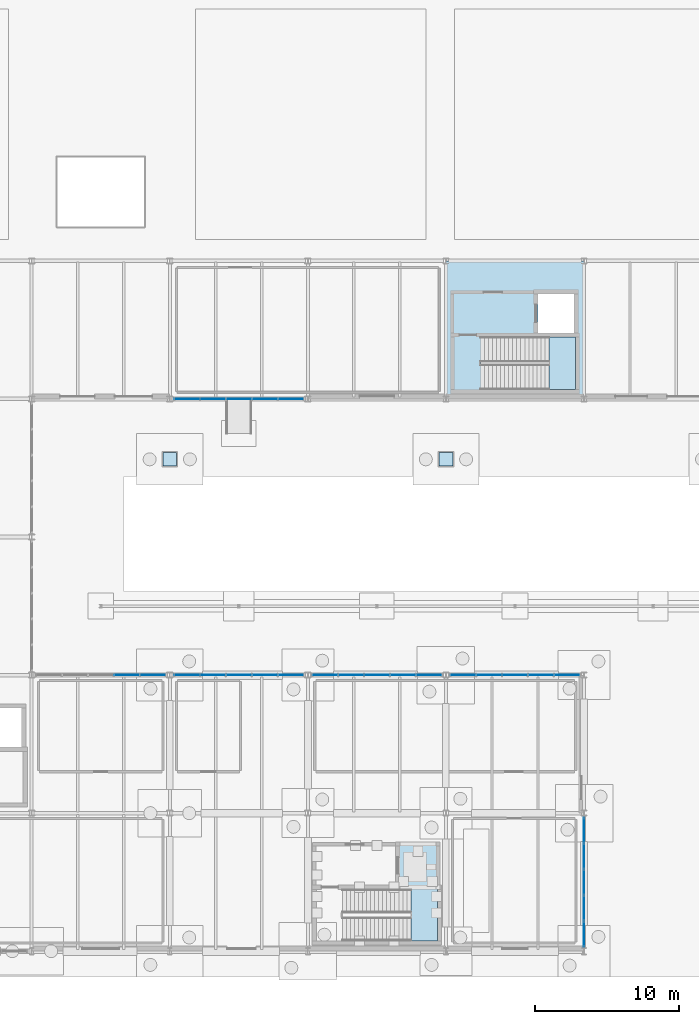
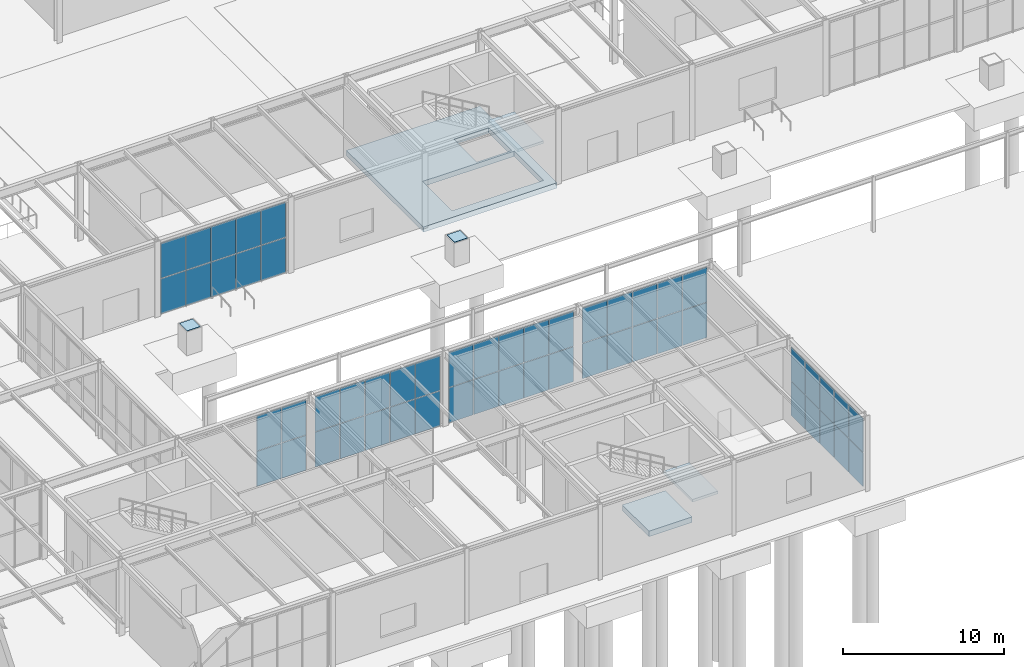
# One storey, part 107 of 142: 56 plates, 4 slabs, 8 elements without a shape of their own.
"""IFC4 building model written with IfcOpenShell, lengths in metres."""

from ifc_helpers import new_model, si_unit, direction, frame, origin, origin_2d, place, context, subcontext, project, spatial, polyline, rectangle, outline, extrude, material, layer, layer_set, type_object, element, aggregate, save


model = new_model("IFC4")

# Units and contexts
model_context = context("Model", 3, precision=1e-05, world=origin(), true_north=direction((0.0, 1.0)))
body_context = subcontext(model_context, "Body", "Model", "MODEL_VIEW")
ifc_project = project(units=[si_unit("LENGTHUNIT", "METRE"), si_unit("AREAUNIT", "SQUARE_METRE"), si_unit("VOLUMEUNIT", "CUBIC_METRE"), si_unit("PLANEANGLEUNIT", "RADIAN"), si_unit("MASSUNIT", "GRAM", prefix="KILO")], contexts=[model_context])

# Site, building, storey
site_placement = place(None, origin())
site = spatial("IfcSite", under=ifc_project, at=site_placement, CompositionType="ELEMENT")
building_placement = place(site_placement, origin())
building = spatial("IfcBuilding", under=site, at=building_placement, Name="Coralgate Yard Interchange", CompositionType="ELEMENT")
storey_placement = place(building_placement, origin())
storey = spatial("IfcBuildingStorey", under=building, at=storey_placement, Name="L00", CompositionType="ELEMENT", Elevation=0.0)

# Plates
ifc_material_1 = material(Name="Yellow-ochre weather-coated structural steel S355J2", Category="steel")
ifc_layer_1 = layer(ifc_material_1, 0.0400390625)
ifc_layer_set_1 = layer_set([ifc_layer_1], Name="Yellow-ochre weather-coated structural steel S355J2")
plate_type_1 = type_object("IfcPlateType", Name="PLT-BP-40", PredefinedType="USERDEFINED", material=ifc_layer_set_1)
for number, where, z_axis, x_axis, name in (
    (1, (67.199951171875, 34.199951171875, 1.800048828125), (0.0, 0.0, 1.0), (1.0, 0.0, 0.0), "Arch AR-2 S steel base plate BP-40"),
    (2, (86.39990234375, 34.199951171875, 1.800048828125), (0.0, 0.0, 1.0), (1.0, 0.0, 0.0), "Arch AR-3 S steel base plate BP-40"),
):
    element("IfcPlate", number, at=place(storey_placement, frame(where, z_axis=z_axis, x_axis=x_axis)), inside=storey, type_object=plate_type_1, Name=name, ObjectType="BASE PLATE", PredefinedType="USERDEFINED", context=body_context, shape_type="SweptSolid", body=[
        extrude(rectangle(XDim=0.949951171875, YDim=0.949951171875, at=origin_2d()), origin(), (0.0, 0.0, 1.0), 0.0400390625),
    ])

# Curtain wall, plates
ifc_material_2 = material(Name="Anodised coastal aluminium and solar-control low-E glass", Category="aluminium")
curtain_wall_type_1 = type_object("IfcCurtainWallType", Name="CW-CW-L00-B", PredefinedType="NOTDEFINED", material=ifc_material_2)
curtain_wall_1_placement = place(storey_placement, origin())
curtain_wall_1 = element("IfcCurtainWall", 3, at=curtain_wall_1_placement, inside=storey, type_object=curtain_wall_type_1, Name="L00 unitised curtain wall CW-L00-N-06-01", PredefinedType="NOTDEFINED")
ifc_material_3 = material(Name="Solar-control double-glazed low-E glass unit", Category="glass")
ifc_layer_2 = layer(ifc_material_3, 0.0419921875)
ifc_layer_set_2 = layer_set([ifc_layer_2], Name="Solar-control double-glazed low-E glass unit")
plate_type_2 = type_object("IfcPlateType", Name="PLT-CP-42", PredefinedType="CURTAIN_PANEL", material=ifc_layer_set_2)
plate_1_placement = place(storey_placement, frame((64.199951171875, 19.199951171875, 0.025146484375), z_axis=(0.0, 0.0, 1.0), x_axis=(1.0, 0.0, 0.0)))
plate_1 = element("IfcPlate", 4, at=plate_1_placement, type_object=plate_type_2, Name="CW-L00-N-06-01 solar-control glazing panel 4-1", PredefinedType="CURTAIN_PANEL", context=body_context, shape_type="SweptSolid", body=[
    extrude(rectangle(XDim=1.75, YDim=0.0419921875, at=origin_2d()), origin(), (0.0, 0.0, 1.0), 2.64990234375),
])
plate_2_placement = place(storey_placement, frame((64.199951171875, 19.199951171875, 2.72509765625), z_axis=(0.0, 0.0, 1.0), x_axis=(1.0, 0.0, 0.0)))
plate_2 = element("IfcPlate", 5, at=plate_2_placement, type_object=plate_type_2, Name="CW-L00-N-06-01 solar-control glazing panel 4-2", PredefinedType="CURTAIN_PANEL", context=body_context, shape_type="SweptSolid", body=[
    extrude(rectangle(XDim=1.75, YDim=0.0419921875, at=origin_2d()), origin(), (0.0, 0.0, 1.0), 2.64990234375),
])
plate_3_placement = place(storey_placement, frame((66.0, 19.199951171875, 0.025146484375), z_axis=(0.0, 0.0, 1.0), x_axis=(1.0, 0.0, 0.0)))
plate_3 = element("IfcPlate", 6, at=plate_3_placement, type_object=plate_type_2, Name="CW-L00-N-06-01 solar-control glazing panel 5-1", PredefinedType="CURTAIN_PANEL", context=body_context, shape_type="SweptSolid", body=[
    extrude(rectangle(XDim=1.75, YDim=0.0419921875, at=origin_2d()), origin(), (0.0, 0.0, 1.0), 2.64990234375),
])
plate_4_placement = place(storey_placement, frame((66.0, 19.199951171875, 2.72509765625), z_axis=(0.0, 0.0, 1.0), x_axis=(1.0, 0.0, 0.0)))
plate_4 = element("IfcPlate", 7, at=plate_4_placement, type_object=plate_type_2, Name="CW-L00-N-06-01 solar-control glazing panel 5-2", PredefinedType="CURTAIN_PANEL", context=body_context, shape_type="SweptSolid", body=[
    extrude(rectangle(XDim=1.75, YDim=0.0419921875, at=origin_2d()), origin(), (0.0, 0.0, 1.0), 2.64990234375),
])
aggregate(curtain_wall_1, [plate_1, plate_2, plate_3, plate_4])

curtain_wall_2_placement = place(storey_placement, origin())
curtain_wall_2 = element("IfcCurtainWall", 8, at=curtain_wall_2_placement, inside=storey, type_object=curtain_wall_type_1, Name="L00 unitised curtain wall CW-L00-N-07-01", PredefinedType="NOTDEFINED")
plate_5_placement = place(storey_placement, frame((68.39990234375, 19.199951171875, 0.025146484375), z_axis=(0.0, 0.0, 1.0), x_axis=(1.0, 0.0, 0.0)))
plate_5 = element("IfcPlate", 9, at=plate_5_placement, type_object=plate_type_2, Name="CW-L00-N-07-01 solar-control glazing panel 1-1", PredefinedType="CURTAIN_PANEL", context=body_context, shape_type="SweptSolid", body=[
    extrude(rectangle(XDim=1.75, YDim=0.0419921875, at=origin_2d()), origin(), (0.0, 0.0, 1.0), 2.64990234375),
])
plate_6_placement = place(storey_placement, frame((68.39990234375, 19.199951171875, 2.72509765625), z_axis=(0.0, 0.0, 1.0), x_axis=(1.0, 0.0, 0.0)))
plate_6 = element("IfcPlate", 10, at=plate_6_placement, type_object=plate_type_2, Name="CW-L00-N-07-01 solar-control glazing panel 1-2", PredefinedType="CURTAIN_PANEL", context=body_context, shape_type="SweptSolid", body=[
    extrude(rectangle(XDim=1.75, YDim=0.0419921875, at=origin_2d()), origin(), (0.0, 0.0, 1.0), 2.64990234375),
])
plate_7_placement = place(storey_placement, frame((70.199951171875, 19.199951171875, 0.025146484375), z_axis=(0.0, 0.0, 1.0), x_axis=(1.0, 0.0, 0.0)))
plate_7 = element("IfcPlate", 11, at=plate_7_placement, type_object=plate_type_2, Name="CW-L00-N-07-01 solar-control glazing panel 2-1", PredefinedType="CURTAIN_PANEL", context=body_context, shape_type="SweptSolid", body=[
    extrude(rectangle(XDim=1.75, YDim=0.0419921875, at=origin_2d()), origin(), (0.0, 0.0, 1.0), 2.64990234375),
])
plate_8_placement = place(storey_placement, frame((70.199951171875, 19.199951171875, 2.72509765625), z_axis=(0.0, 0.0, 1.0), x_axis=(1.0, 0.0, 0.0)))
plate_8 = element("IfcPlate", 12, at=plate_8_placement, type_object=plate_type_2, Name="CW-L00-N-07-01 solar-control glazing panel 2-2", PredefinedType="CURTAIN_PANEL", context=body_context, shape_type="SweptSolid", body=[
    extrude(rectangle(XDim=1.75, YDim=0.0419921875, at=origin_2d()), origin(), (0.0, 0.0, 1.0), 2.64990234375),
])
plate_9_placement = place(storey_placement, frame((72.0, 19.199951171875, 0.025146484375), z_axis=(0.0, 0.0, 1.0), x_axis=(1.0, 0.0, 0.0)))
plate_9 = element("IfcPlate", 13, at=plate_9_placement, type_object=plate_type_2, Name="CW-L00-N-07-01 solar-control glazing panel 3-1", PredefinedType="CURTAIN_PANEL", context=body_context, shape_type="SweptSolid", body=[
    extrude(rectangle(XDim=1.75, YDim=0.0419921875, at=origin_2d()), origin(), (0.0, 0.0, 1.0), 2.64990234375),
])
plate_10_placement = place(storey_placement, frame((72.0, 19.199951171875, 2.72509765625), z_axis=(0.0, 0.0, 1.0), x_axis=(1.0, 0.0, 0.0)))
plate_10 = element("IfcPlate", 14, at=plate_10_placement, type_object=plate_type_2, Name="CW-L00-N-07-01 solar-control glazing panel 3-2", PredefinedType="CURTAIN_PANEL", context=body_context, shape_type="SweptSolid", body=[
    extrude(rectangle(XDim=1.75, YDim=0.0419921875, at=origin_2d()), origin(), (0.0, 0.0, 1.0), 2.64990234375),
])
plate_11_placement = place(storey_placement, frame((73.800048828125, 19.199951171875, 0.025146484375), z_axis=(0.0, 0.0, 1.0), x_axis=(1.0, 0.0, 0.0)))
plate_11 = element("IfcPlate", 15, at=plate_11_placement, type_object=plate_type_2, Name="CW-L00-N-07-01 solar-control glazing panel 4-1", PredefinedType="CURTAIN_PANEL", context=body_context, shape_type="SweptSolid", body=[
    extrude(rectangle(XDim=1.75, YDim=0.0419921875, at=origin_2d()), origin(), (0.0, 0.0, 1.0), 2.64990234375),
])
plate_12_placement = place(storey_placement, frame((73.800048828125, 19.199951171875, 2.72509765625), z_axis=(0.0, 0.0, 1.0), x_axis=(1.0, 0.0, 0.0)))
plate_12 = element("IfcPlate", 16, at=plate_12_placement, type_object=plate_type_2, Name="CW-L00-N-07-01 solar-control glazing panel 4-2", PredefinedType="CURTAIN_PANEL", context=body_context, shape_type="SweptSolid", body=[
    extrude(rectangle(XDim=1.75, YDim=0.0419921875, at=origin_2d()), origin(), (0.0, 0.0, 1.0), 2.64990234375),
])
plate_13_placement = place(storey_placement, frame((75.60009765625, 19.199951171875, 0.025146484375), z_axis=(0.0, 0.0, 1.0), x_axis=(1.0, 0.0, 0.0)))
plate_13 = element("IfcPlate", 17, at=plate_13_placement, type_object=plate_type_2, Name="CW-L00-N-07-01 solar-control glazing panel 5-1", PredefinedType="CURTAIN_PANEL", context=body_context, shape_type="SweptSolid", body=[
    extrude(rectangle(XDim=1.75, YDim=0.0419921875, at=origin_2d()), origin(), (0.0, 0.0, 1.0), 2.64990234375),
])
plate_14_placement = place(storey_placement, frame((75.60009765625, 19.199951171875, 2.72509765625), z_axis=(0.0, 0.0, 1.0), x_axis=(1.0, 0.0, 0.0)))
plate_14 = element("IfcPlate", 18, at=plate_14_placement, type_object=plate_type_2, Name="CW-L00-N-07-01 solar-control glazing panel 5-2", PredefinedType="CURTAIN_PANEL", context=body_context, shape_type="SweptSolid", body=[
    extrude(rectangle(XDim=1.75, YDim=0.0419921875, at=origin_2d()), origin(), (0.0, 0.0, 1.0), 2.64990234375),
])
aggregate(curtain_wall_2, [plate_5, plate_6, plate_7, plate_8, plate_9, plate_10, plate_11, plate_12, plate_13, plate_14])

curtain_wall_type_2 = type_object("IfcCurtainWallType", Name="CW-CW-L00-A", PredefinedType="NOTDEFINED", material=ifc_material_2)
curtain_wall_3_placement = place(storey_placement, origin())
curtain_wall_3 = element("IfcCurtainWall", 19, at=curtain_wall_3_placement, inside=storey, type_object=curtain_wall_type_2, Name="L00 unitised curtain wall CW-L00-S-07-04", PredefinedType="NOTDEFINED")
plate_15_placement = place(storey_placement, frame((75.60009765625, 38.39990234375, 0.025146484375), z_axis=(0.0, 0.0, 1.0), x_axis=(-1.0, 0.0, 0.0)))
plate_15 = element("IfcPlate", 20, at=plate_15_placement, type_object=plate_type_2, Name="CW-L00-S-07-04 solar-control glazing panel 1-1", PredefinedType="CURTAIN_PANEL", context=body_context, shape_type="SweptSolid", body=[
    extrude(rectangle(XDim=1.75, YDim=0.0419921875, at=origin_2d()), origin(), (0.0, 0.0, 1.0), 2.64990234375),
])
plate_16_placement = place(storey_placement, frame((75.60009765625, 38.39990234375, 2.72509765625), z_axis=(0.0, 0.0, 1.0), x_axis=(-1.0, 0.0, 0.0)))
plate_16 = element("IfcPlate", 21, at=plate_16_placement, type_object=plate_type_2, Name="CW-L00-S-07-04 solar-control glazing panel 1-2", PredefinedType="CURTAIN_PANEL", context=body_context, shape_type="SweptSolid", body=[
    extrude(rectangle(XDim=1.75, YDim=0.0419921875, at=origin_2d()), origin(), (0.0, 0.0, 1.0), 2.64990234375),
])
plate_17_placement = place(storey_placement, frame((73.800048828125, 38.39990234375, 0.025146484375), z_axis=(0.0, 0.0, 1.0), x_axis=(-1.0, 0.0, 0.0)))
plate_17 = element("IfcPlate", 22, at=plate_17_placement, type_object=plate_type_2, Name="CW-L00-S-07-04 solar-control glazing panel 2-1", PredefinedType="CURTAIN_PANEL", context=body_context, shape_type="SweptSolid", body=[
    extrude(rectangle(XDim=1.75, YDim=0.0419921875, at=origin_2d()), origin(), (0.0, 0.0, 1.0), 2.64990234375),
])
plate_18_placement = place(storey_placement, frame((73.800048828125, 38.39990234375, 2.72509765625), z_axis=(0.0, 0.0, 1.0), x_axis=(-1.0, 0.0, 0.0)))
plate_18 = element("IfcPlate", 23, at=plate_18_placement, type_object=plate_type_2, Name="CW-L00-S-07-04 solar-control glazing panel 2-2", PredefinedType="CURTAIN_PANEL", context=body_context, shape_type="SweptSolid", body=[
    extrude(rectangle(XDim=1.75, YDim=0.0419921875, at=origin_2d()), origin(), (0.0, 0.0, 1.0), 2.64990234375),
])
plate_19_placement = place(storey_placement, frame((72.0, 38.39990234375, 0.025146484375), z_axis=(0.0, 0.0, 1.0), x_axis=(-1.0, 0.0, 0.0)))
plate_19 = element("IfcPlate", 24, at=plate_19_placement, type_object=plate_type_2, Name="CW-L00-S-07-04 solar-control glazing panel 3-1", PredefinedType="CURTAIN_PANEL", context=body_context, shape_type="SweptSolid", body=[
    extrude(rectangle(XDim=1.75, YDim=0.0419921875, at=origin_2d()), origin(), (0.0, 0.0, 1.0), 2.64990234375),
])
plate_20_placement = place(storey_placement, frame((72.0, 38.39990234375, 2.72509765625), z_axis=(0.0, 0.0, 1.0), x_axis=(-1.0, 0.0, 0.0)))
plate_20 = element("IfcPlate", 25, at=plate_20_placement, type_object=plate_type_2, Name="CW-L00-S-07-04 solar-control glazing panel 3-2", PredefinedType="CURTAIN_PANEL", context=body_context, shape_type="SweptSolid", body=[
    extrude(rectangle(XDim=1.75, YDim=0.0419921875, at=origin_2d()), origin(), (0.0, 0.0, 1.0), 2.64990234375),
])
plate_21_placement = place(storey_placement, frame((70.199951171875, 38.39990234375, 0.025146484375), z_axis=(0.0, 0.0, 1.0), x_axis=(-1.0, 0.0, 0.0)))
plate_21 = element("IfcPlate", 26, at=plate_21_placement, type_object=plate_type_2, Name="CW-L00-S-07-04 solar-control glazing panel 4-1", PredefinedType="CURTAIN_PANEL", context=body_context, shape_type="SweptSolid", body=[
    extrude(rectangle(XDim=1.75, YDim=0.0419921875, at=origin_2d()), origin(), (0.0, 0.0, 1.0), 2.64990234375),
])
plate_22_placement = place(storey_placement, frame((70.199951171875, 38.39990234375, 2.72509765625), z_axis=(0.0, 0.0, 1.0), x_axis=(-1.0, 0.0, 0.0)))
plate_22 = element("IfcPlate", 27, at=plate_22_placement, type_object=plate_type_2, Name="CW-L00-S-07-04 solar-control glazing panel 4-2", PredefinedType="CURTAIN_PANEL", context=body_context, shape_type="SweptSolid", body=[
    extrude(rectangle(XDim=1.75, YDim=0.0419921875, at=origin_2d()), origin(), (0.0, 0.0, 1.0), 2.64990234375),
])
plate_23_placement = place(storey_placement, frame((68.39990234375, 38.39990234375, 0.025146484375), z_axis=(0.0, 0.0, 1.0), x_axis=(-1.0, 0.0, 0.0)))
plate_23 = element("IfcPlate", 28, at=plate_23_placement, type_object=plate_type_2, Name="CW-L00-S-07-04 solar-control glazing panel 5-1", PredefinedType="CURTAIN_PANEL", context=body_context, shape_type="SweptSolid", body=[
    extrude(rectangle(XDim=1.75, YDim=0.0419921875, at=origin_2d()), origin(), (0.0, 0.0, 1.0), 2.64990234375),
])
plate_24_placement = place(storey_placement, frame((68.39990234375, 38.39990234375, 2.72509765625), z_axis=(0.0, 0.0, 1.0), x_axis=(-1.0, 0.0, 0.0)))
plate_24 = element("IfcPlate", 29, at=plate_24_placement, type_object=plate_type_2, Name="CW-L00-S-07-04 solar-control glazing panel 5-2", PredefinedType="CURTAIN_PANEL", context=body_context, shape_type="SweptSolid", body=[
    extrude(rectangle(XDim=1.75, YDim=0.0419921875, at=origin_2d()), origin(), (0.0, 0.0, 1.0), 2.64990234375),
])
aggregate(curtain_wall_3, [plate_15, plate_16, plate_17, plate_18, plate_19, plate_20, plate_21, plate_22, plate_23, plate_24])

curtain_wall_4_placement = place(storey_placement, origin())
curtain_wall_4 = element("IfcCurtainWall", 30, at=curtain_wall_4_placement, inside=storey, type_object=curtain_wall_type_1, Name="L00 unitised curtain wall CW-L00-N-08-01", PredefinedType="NOTDEFINED")
plate_25_placement = place(storey_placement, frame((78.0, 19.199951171875, 0.025146484375), z_axis=(0.0, 0.0, 1.0), x_axis=(1.0, 0.0, 0.0)))
plate_25 = element("IfcPlate", 31, at=plate_25_placement, type_object=plate_type_2, Name="CW-L00-N-08-01 solar-control glazing panel 1-1", PredefinedType="CURTAIN_PANEL", context=body_context, shape_type="SweptSolid", body=[
    extrude(rectangle(XDim=1.75, YDim=0.0419921875, at=origin_2d()), origin(), (0.0, 0.0, 1.0), 2.64990234375),
])
plate_26_placement = place(storey_placement, frame((78.0, 19.199951171875, 2.72509765625), z_axis=(0.0, 0.0, 1.0), x_axis=(1.0, 0.0, 0.0)))
plate_26 = element("IfcPlate", 32, at=plate_26_placement, type_object=plate_type_2, Name="CW-L00-N-08-01 solar-control glazing panel 1-2", PredefinedType="CURTAIN_PANEL", context=body_context, shape_type="SweptSolid", body=[
    extrude(rectangle(XDim=1.75, YDim=0.0419921875, at=origin_2d()), origin(), (0.0, 0.0, 1.0), 2.64990234375),
])
plate_27_placement = place(storey_placement, frame((79.800048828125, 19.199951171875, 0.025146484375), z_axis=(0.0, 0.0, 1.0), x_axis=(1.0, 0.0, 0.0)))
plate_27 = element("IfcPlate", 33, at=plate_27_placement, type_object=plate_type_2, Name="CW-L00-N-08-01 solar-control glazing panel 2-1", PredefinedType="CURTAIN_PANEL", context=body_context, shape_type="SweptSolid", body=[
    extrude(rectangle(XDim=1.75, YDim=0.0419921875, at=origin_2d()), origin(), (0.0, 0.0, 1.0), 2.64990234375),
])
plate_28_placement = place(storey_placement, frame((79.800048828125, 19.199951171875, 2.72509765625), z_axis=(0.0, 0.0, 1.0), x_axis=(1.0, 0.0, 0.0)))
plate_28 = element("IfcPlate", 34, at=plate_28_placement, type_object=plate_type_2, Name="CW-L00-N-08-01 solar-control glazing panel 2-2", PredefinedType="CURTAIN_PANEL", context=body_context, shape_type="SweptSolid", body=[
    extrude(rectangle(XDim=1.75, YDim=0.0419921875, at=origin_2d()), origin(), (0.0, 0.0, 1.0), 2.64990234375),
])
plate_29_placement = place(storey_placement, frame((81.60009765625, 19.199951171875, 0.025146484375), z_axis=(0.0, 0.0, 1.0), x_axis=(1.0, 0.0, 0.0)))
plate_29 = element("IfcPlate", 35, at=plate_29_placement, type_object=plate_type_2, Name="CW-L00-N-08-01 solar-control glazing panel 3-1", PredefinedType="CURTAIN_PANEL", context=body_context, shape_type="SweptSolid", body=[
    extrude(rectangle(XDim=1.75, YDim=0.0419921875, at=origin_2d()), origin(), (0.0, 0.0, 1.0), 2.64990234375),
])
plate_30_placement = place(storey_placement, frame((81.60009765625, 19.199951171875, 2.72509765625), z_axis=(0.0, 0.0, 1.0), x_axis=(1.0, 0.0, 0.0)))
plate_30 = element("IfcPlate", 36, at=plate_30_placement, type_object=plate_type_2, Name="CW-L00-N-08-01 solar-control glazing panel 3-2", PredefinedType="CURTAIN_PANEL", context=body_context, shape_type="SweptSolid", body=[
    extrude(rectangle(XDim=1.75, YDim=0.0419921875, at=origin_2d()), origin(), (0.0, 0.0, 1.0), 2.64990234375),
])
plate_31_placement = place(storey_placement, frame((83.39990234375, 19.199951171875, 0.025146484375), z_axis=(0.0, 0.0, 1.0), x_axis=(1.0, 0.0, 0.0)))
plate_31 = element("IfcPlate", 37, at=plate_31_placement, type_object=plate_type_2, Name="CW-L00-N-08-01 solar-control glazing panel 4-1", PredefinedType="CURTAIN_PANEL", context=body_context, shape_type="SweptSolid", body=[
    extrude(rectangle(XDim=1.75, YDim=0.0419921875, at=origin_2d()), origin(), (0.0, 0.0, 1.0), 2.64990234375),
])
plate_32_placement = place(storey_placement, frame((83.39990234375, 19.199951171875, 2.72509765625), z_axis=(0.0, 0.0, 1.0), x_axis=(1.0, 0.0, 0.0)))
plate_32 = element("IfcPlate", 38, at=plate_32_placement, type_object=plate_type_2, Name="CW-L00-N-08-01 solar-control glazing panel 4-2", PredefinedType="CURTAIN_PANEL", context=body_context, shape_type="SweptSolid", body=[
    extrude(rectangle(XDim=1.75, YDim=0.0419921875, at=origin_2d()), origin(), (0.0, 0.0, 1.0), 2.64990234375),
])
plate_33_placement = place(storey_placement, frame((85.199951171875, 19.199951171875, 0.025146484375), z_axis=(0.0, 0.0, 1.0), x_axis=(1.0, 0.0, 0.0)))
plate_33 = element("IfcPlate", 39, at=plate_33_placement, type_object=plate_type_2, Name="CW-L00-N-08-01 solar-control glazing panel 5-1", PredefinedType="CURTAIN_PANEL", context=body_context, shape_type="SweptSolid", body=[
    extrude(rectangle(XDim=1.75, YDim=0.0419921875, at=origin_2d()), origin(), (0.0, 0.0, 1.0), 2.64990234375),
])
plate_34_placement = place(storey_placement, frame((85.199951171875, 19.199951171875, 2.72509765625), z_axis=(0.0, 0.0, 1.0), x_axis=(1.0, 0.0, 0.0)))
plate_34 = element("IfcPlate", 40, at=plate_34_placement, type_object=plate_type_2, Name="CW-L00-N-08-01 solar-control glazing panel 5-2", PredefinedType="CURTAIN_PANEL", context=body_context, shape_type="SweptSolid", body=[
    extrude(rectangle(XDim=1.75, YDim=0.0419921875, at=origin_2d()), origin(), (0.0, 0.0, 1.0), 2.64990234375),
])
aggregate(curtain_wall_4, [plate_25, plate_26, plate_27, plate_28, plate_29, plate_30, plate_31, plate_32, plate_33, plate_34])

curtain_wall_5_placement = place(storey_placement, origin())
curtain_wall_5 = element("IfcCurtainWall", 41, at=curtain_wall_5_placement, inside=storey, type_object=curtain_wall_type_1, Name="L00 unitised curtain wall CW-L00-E-09-00", PredefinedType="NOTDEFINED")
plate_35_placement = place(storey_placement, frame((96.0, 8.39990234375, 0.02490234375), z_axis=(0.0, 0.0, 1.0), x_axis=(0.0, -1.0, 0.0)))
plate_35 = element("IfcPlate", 42, at=plate_35_placement, type_object=plate_type_2, Name="CW-L00-E-09-00 solar-control glazing panel 1-1", PredefinedType="CURTAIN_PANEL", context=body_context, shape_type="SweptSolid", body=[
    extrude(rectangle(XDim=1.75, YDim=0.0419921875, at=origin_2d()), origin(), (0.0, 0.0, 1.0), 2.558349609375),
])
plate_36_placement = place(storey_placement, frame((96.0, 8.39990234375, 2.63330078125), z_axis=(0.0, 0.0, 1.0), x_axis=(0.0, -1.0, 0.0)))
plate_36 = element("IfcPlate", 43, at=plate_36_placement, type_object=plate_type_2, Name="CW-L00-E-09-00 solar-control glazing panel 1-2", PredefinedType="CURTAIN_PANEL", context=body_context, shape_type="SweptSolid", body=[
    extrude(rectangle(XDim=1.75, YDim=0.0419921875, at=origin_2d()), origin(), (0.0, 0.0, 1.0), 2.558349609375),
])
plate_37_placement = place(storey_placement, frame((96.0, 6.60009765625, 0.02490234375), z_axis=(0.0, 0.0, 1.0), x_axis=(0.0, -1.0, 0.0)))
plate_37 = element("IfcPlate", 44, at=plate_37_placement, type_object=plate_type_2, Name="CW-L00-E-09-00 solar-control glazing panel 2-1", PredefinedType="CURTAIN_PANEL", context=body_context, shape_type="SweptSolid", body=[
    extrude(rectangle(XDim=1.75, YDim=0.0419921875, at=origin_2d()), origin(), (0.0, 0.0, 1.0), 2.558349609375),
])
plate_38_placement = place(storey_placement, frame((96.0, 6.60009765625, 2.63330078125), z_axis=(0.0, 0.0, 1.0), x_axis=(0.0, -1.0, 0.0)))
plate_38 = element("IfcPlate", 45, at=plate_38_placement, type_object=plate_type_2, Name="CW-L00-E-09-00 solar-control glazing panel 2-2", PredefinedType="CURTAIN_PANEL", context=body_context, shape_type="SweptSolid", body=[
    extrude(rectangle(XDim=1.75, YDim=0.0419921875, at=origin_2d()), origin(), (0.0, 0.0, 1.0), 2.558349609375),
])
plate_39_placement = place(storey_placement, frame((96.0, 4.800048828125, 0.02490234375), z_axis=(0.0, 0.0, 1.0), x_axis=(0.0, -1.0, 0.0)))
plate_39 = element("IfcPlate", 46, at=plate_39_placement, type_object=plate_type_2, Name="CW-L00-E-09-00 solar-control glazing panel 3-1", PredefinedType="CURTAIN_PANEL", context=body_context, shape_type="SweptSolid", body=[
    extrude(rectangle(XDim=1.75, YDim=0.0419921875, at=origin_2d()), origin(), (0.0, 0.0, 1.0), 2.558349609375),
])
plate_40_placement = place(storey_placement, frame((96.0, 4.800048828125, 2.63330078125), z_axis=(0.0, 0.0, 1.0), x_axis=(0.0, -1.0, 0.0)))
plate_40 = element("IfcPlate", 47, at=plate_40_placement, type_object=plate_type_2, Name="CW-L00-E-09-00 solar-control glazing panel 3-2", PredefinedType="CURTAIN_PANEL", context=body_context, shape_type="SweptSolid", body=[
    extrude(rectangle(XDim=1.75, YDim=0.0419921875, at=origin_2d()), origin(), (0.0, 0.0, 1.0), 2.558349609375),
])
plate_41_placement = place(storey_placement, frame((96.0, 3.0, 0.02490234375), z_axis=(0.0, 0.0, 1.0), x_axis=(0.0, -1.0, 0.0)))
plate_41 = element("IfcPlate", 48, at=plate_41_placement, type_object=plate_type_2, Name="CW-L00-E-09-00 solar-control glazing panel 4-1", PredefinedType="CURTAIN_PANEL", context=body_context, shape_type="SweptSolid", body=[
    extrude(rectangle(XDim=1.75, YDim=0.0419921875, at=origin_2d()), origin(), (0.0, 0.0, 1.0), 2.558349609375),
])
plate_42_placement = place(storey_placement, frame((96.0, 3.0, 2.63330078125), z_axis=(0.0, 0.0, 1.0), x_axis=(0.0, -1.0, 0.0)))
plate_42 = element("IfcPlate", 49, at=plate_42_placement, type_object=plate_type_2, Name="CW-L00-E-09-00 solar-control glazing panel 4-2", PredefinedType="CURTAIN_PANEL", context=body_context, shape_type="SweptSolid", body=[
    extrude(rectangle(XDim=1.75, YDim=0.0419921875, at=origin_2d()), origin(), (0.0, 0.0, 1.0), 2.558349609375),
])
plate_43_placement = place(storey_placement, frame((96.0, 1.199951171875, 0.02490234375), z_axis=(0.0, 0.0, 1.0), x_axis=(0.0, -1.0, 0.0)))
plate_43 = element("IfcPlate", 50, at=plate_43_placement, type_object=plate_type_2, Name="CW-L00-E-09-00 solar-control glazing panel 5-1", PredefinedType="CURTAIN_PANEL", context=body_context, shape_type="SweptSolid", body=[
    extrude(rectangle(XDim=1.75, YDim=0.0419921875, at=origin_2d()), origin(), (0.0, 0.0, 1.0), 2.558349609375),
])
plate_44_placement = place(storey_placement, frame((96.0, 1.199951171875, 2.63330078125), z_axis=(0.0, 0.0, 1.0), x_axis=(0.0, -1.0, 0.0)))
plate_44 = element("IfcPlate", 51, at=plate_44_placement, type_object=plate_type_2, Name="CW-L00-E-09-00 solar-control glazing panel 5-2", PredefinedType="CURTAIN_PANEL", context=body_context, shape_type="SweptSolid", body=[
    extrude(rectangle(XDim=1.75, YDim=0.0419921875, at=origin_2d()), origin(), (0.0, 0.0, 1.0), 2.558349609375),
])
aggregate(curtain_wall_5, [plate_35, plate_36, plate_37, plate_38, plate_39, plate_40, plate_41, plate_42, plate_43, plate_44])

curtain_wall_6_placement = place(storey_placement, origin())
curtain_wall_6 = element("IfcCurtainWall", 52, at=curtain_wall_6_placement, inside=storey, type_object=curtain_wall_type_2, Name="L00 unitised curtain wall CW-L00-N-09-01", PredefinedType="NOTDEFINED")
plate_45_placement = place(storey_placement, frame((87.60009765625, 19.199951171875, 0.025146484375), z_axis=(0.0, 0.0, 1.0), x_axis=(1.0, 0.0, 0.0)))
plate_45 = element("IfcPlate", 53, at=plate_45_placement, type_object=plate_type_2, Name="CW-L00-N-09-01 solar-control glazing panel 1-1", PredefinedType="CURTAIN_PANEL", context=body_context, shape_type="SweptSolid", body=[
    extrude(rectangle(XDim=1.75, YDim=0.0419921875, at=origin_2d()), origin(), (0.0, 0.0, 1.0), 2.64990234375),
])
plate_46_placement = place(storey_placement, frame((87.60009765625, 19.199951171875, 2.72509765625), z_axis=(0.0, 0.0, 1.0), x_axis=(1.0, 0.0, 0.0)))
plate_46 = element("IfcPlate", 54, at=plate_46_placement, type_object=plate_type_2, Name="CW-L00-N-09-01 solar-control glazing panel 1-2", PredefinedType="CURTAIN_PANEL", context=body_context, shape_type="SweptSolid", body=[
    extrude(rectangle(XDim=1.75, YDim=0.0419921875, at=origin_2d()), origin(), (0.0, 0.0, 1.0), 2.64990234375),
])
plate_47_placement = place(storey_placement, frame((89.39990234375, 19.199951171875, 0.025146484375), z_axis=(0.0, 0.0, 1.0), x_axis=(1.0, 0.0, 0.0)))
plate_47 = element("IfcPlate", 55, at=plate_47_placement, type_object=plate_type_2, Name="CW-L00-N-09-01 solar-control glazing panel 2-1", PredefinedType="CURTAIN_PANEL", context=body_context, shape_type="SweptSolid", body=[
    extrude(rectangle(XDim=1.75, YDim=0.0419921875, at=origin_2d()), origin(), (0.0, 0.0, 1.0), 2.64990234375),
])
plate_48_placement = place(storey_placement, frame((89.39990234375, 19.199951171875, 2.72509765625), z_axis=(0.0, 0.0, 1.0), x_axis=(1.0, 0.0, 0.0)))
plate_48 = element("IfcPlate", 56, at=plate_48_placement, type_object=plate_type_2, Name="CW-L00-N-09-01 solar-control glazing panel 2-2", PredefinedType="CURTAIN_PANEL", context=body_context, shape_type="SweptSolid", body=[
    extrude(rectangle(XDim=1.75, YDim=0.0419921875, at=origin_2d()), origin(), (0.0, 0.0, 1.0), 2.64990234375),
])
plate_49_placement = place(storey_placement, frame((91.199951171875, 19.199951171875, 0.025146484375), z_axis=(0.0, 0.0, 1.0), x_axis=(1.0, 0.0, 0.0)))
plate_49 = element("IfcPlate", 57, at=plate_49_placement, type_object=plate_type_2, Name="CW-L00-N-09-01 solar-control glazing panel 3-1", PredefinedType="CURTAIN_PANEL", context=body_context, shape_type="SweptSolid", body=[
    extrude(rectangle(XDim=1.75, YDim=0.0419921875, at=origin_2d()), origin(), (0.0, 0.0, 1.0), 2.64990234375),
])
plate_50_placement = place(storey_placement, frame((91.199951171875, 19.199951171875, 2.72509765625), z_axis=(0.0, 0.0, 1.0), x_axis=(1.0, 0.0, 0.0)))
plate_50 = element("IfcPlate", 58, at=plate_50_placement, type_object=plate_type_2, Name="CW-L00-N-09-01 solar-control glazing panel 3-2", PredefinedType="CURTAIN_PANEL", context=body_context, shape_type="SweptSolid", body=[
    extrude(rectangle(XDim=1.75, YDim=0.0419921875, at=origin_2d()), origin(), (0.0, 0.0, 1.0), 2.64990234375),
])
plate_51_placement = place(storey_placement, frame((93.0, 19.199951171875, 0.025146484375), z_axis=(0.0, 0.0, 1.0), x_axis=(1.0, 0.0, 0.0)))
plate_51 = element("IfcPlate", 59, at=plate_51_placement, type_object=plate_type_2, Name="CW-L00-N-09-01 solar-control glazing panel 4-1", PredefinedType="CURTAIN_PANEL", context=body_context, shape_type="SweptSolid", body=[
    extrude(rectangle(XDim=1.75, YDim=0.0419921875, at=origin_2d()), origin(), (0.0, 0.0, 1.0), 2.64990234375),
])
plate_52_placement = place(storey_placement, frame((93.0, 19.199951171875, 2.72509765625), z_axis=(0.0, 0.0, 1.0), x_axis=(1.0, 0.0, 0.0)))
plate_52 = element("IfcPlate", 60, at=plate_52_placement, type_object=plate_type_2, Name="CW-L00-N-09-01 solar-control glazing panel 4-2", PredefinedType="CURTAIN_PANEL", context=body_context, shape_type="SweptSolid", body=[
    extrude(rectangle(XDim=1.75, YDim=0.0419921875, at=origin_2d()), origin(), (0.0, 0.0, 1.0), 2.64990234375),
])
plate_53_placement = place(storey_placement, frame((94.800048828125, 19.199951171875, 0.025146484375), z_axis=(0.0, 0.0, 1.0), x_axis=(1.0, 0.0, 0.0)))
plate_53 = element("IfcPlate", 61, at=plate_53_placement, type_object=plate_type_2, Name="CW-L00-N-09-01 solar-control glazing panel 5-1", PredefinedType="CURTAIN_PANEL", context=body_context, shape_type="SweptSolid", body=[
    extrude(rectangle(XDim=1.75, YDim=0.0419921875, at=origin_2d()), origin(), (0.0, 0.0, 1.0), 2.64990234375),
])
plate_54_placement = place(storey_placement, frame((94.800048828125, 19.199951171875, 2.72509765625), z_axis=(0.0, 0.0, 1.0), x_axis=(1.0, 0.0, 0.0)))
plate_54 = element("IfcPlate", 62, at=plate_54_placement, type_object=plate_type_2, Name="CW-L00-N-09-01 solar-control glazing panel 5-2", PredefinedType="CURTAIN_PANEL", context=body_context, shape_type="SweptSolid", body=[
    extrude(rectangle(XDim=1.75, YDim=0.0419921875, at=origin_2d()), origin(), (0.0, 0.0, 1.0), 2.64990234375),
])
aggregate(curtain_wall_6, [plate_45, plate_46, plate_47, plate_48, plate_49, plate_50, plate_51, plate_52, plate_53, plate_54])

# Stair, slab
ifc_material_4 = material(Name="Concrete C40/50", Category="concrete")
stair_type_1 = type_object("IfcStairType", Name="STR-DL-165-60", PredefinedType="HALF_TURN_STAIR", material=ifc_material_4)
stair_1_placement = place(storey_placement, origin())
stair_1 = element("IfcStair", 63, at=stair_1_placement, inside=storey, type_object=stair_type_1, Name="L00 Escape stair ST-04", PredefinedType="HALF_TURN_STAIR")
ifc_layer_3 = layer(ifc_material_4, 0.199951171875)
ifc_layer_set_3 = layer_set([ifc_layer_3], Name="Concrete C40/50")
slab_type_1 = type_object("IfcSlabType", Name="SLB-LND200", PredefinedType="LANDING", material=ifc_layer_set_3)
slab_1_placement = place(storey_placement, frame((0.0, 0.0, 2.800048828125)))
slab_1 = element("IfcSlab", 64, at=slab_1_placement, type_object=slab_type_1, Name="ST-04 landing 1", PredefinedType="LANDING", context=body_context, shape_type="SweptSolid", body=[
    extrude(outline(polyline([(83.9599609375, 0.719970703125), (85.800048828125, 0.719970703125), (85.800048828125, 4.31005859375), (83.9599609375, 4.31005859375), (83.9599609375, 0.719970703125)])), origin(), (0.0, 0.0, 1.0), 0.199951171875),
])
aggregate(stair_1, [slab_1])

stair_type_2 = type_object("IfcStairType", Name="STR-DL-175-60", PredefinedType="HALF_TURN_STAIR", material=ifc_material_4)
stair_2_placement = place(storey_placement, origin())
stair_2 = element("IfcStair", 65, at=stair_2_placement, inside=storey, type_object=stair_type_2, Name="L00 Escape stair ST-06", PredefinedType="HALF_TURN_STAIR")
slab_2_placement = place(storey_placement, frame((0.0, 0.0, 2.800048828125)))
slab_2 = element("IfcSlab", 66, at=slab_2_placement, type_object=slab_type_1, Name="ST-06 landing 1", PredefinedType="LANDING", context=body_context, shape_type="SweptSolid", body=[
    extrude(outline(polyline([(93.56005859375, 39.050048828125), (95.39990234375, 39.050048828125), (95.39990234375, 42.7099609375), (93.56005859375, 42.7099609375), (93.56005859375, 39.050048828125)])), origin(), (0.0, 0.0, 1.0), 0.199951171875),
])
aggregate(stair_2, [slab_2])

# Slabs
ifc_layer_4 = layer(ifc_material_4, 0.419921875)
ifc_layer_set_4 = layer_set([ifc_layer_4], Name="Concrete C40/50")
slab_type_2 = type_object("IfcSlabType", Name="SLB-PIT300", PredefinedType="BASESLAB", material=ifc_layer_set_4)
slab_3_placement = place(storey_placement, frame((0.0, 0.0, -1.6201171875)))
element("IfcSlab", 67, at=slab_3_placement, inside=storey, type_object=slab_type_2, Name="LF-02 concrete lift pit base", PredefinedType="BASESLAB", context=body_context, shape_type="SweptSolid", body=[
    extrude(outline(polyline([(82.89990234375, 4.300048828125), (86.0, 4.300048828125), (86.0, 7.60009765625), (82.89990234375, 7.60009765625), (82.89990234375, 4.300048828125)])), origin(), (0.0, 0.0, 1.0), 0.420166015625),
])
ifc_layer_5 = layer(ifc_material_4, 0.39990234375)
ifc_layer_set_5 = layer_set([ifc_layer_5], Name="Concrete C40/50")
slab_type_3 = type_object("IfcSlabType", Name="SLB-SL-GND400", PredefinedType="FLOOR", material=ifc_layer_set_5)
slab_4_placement = place(storey_placement, frame((0.0, 0.0, -0.39990234375)))
element("IfcSlab", 68, at=slab_4_placement, inside=storey, type_object=slab_type_3, Name="L00 core C6 structural floor slab", PredefinedType="FLOOR", context=body_context, shape_type="SweptSolid", body=[
    extrude(outline(polyline([(96.0, 48.0), (96.0, 38.39990234375), (86.39990234375, 38.39990234375), (86.39990234375, 48.0), (96.0, 48.0)]), holes=[polyline([(95.39990234375, 42.7099609375), (88.820068359375, 42.7099609375), (88.820068359375, 39.050048828125), (95.39990234375, 39.050048828125), (95.39990234375, 42.7099609375)]), polyline([(95.300048828125, 42.85009765625), (95.300048828125, 45.699951171875), (92.800048828125, 45.699951171875), (92.800048828125, 42.85009765625), (95.300048828125, 42.85009765625)])]), origin(), (0.0, 0.0, 1.0), 0.39990234375),
])

save(model, "model.ifc")
